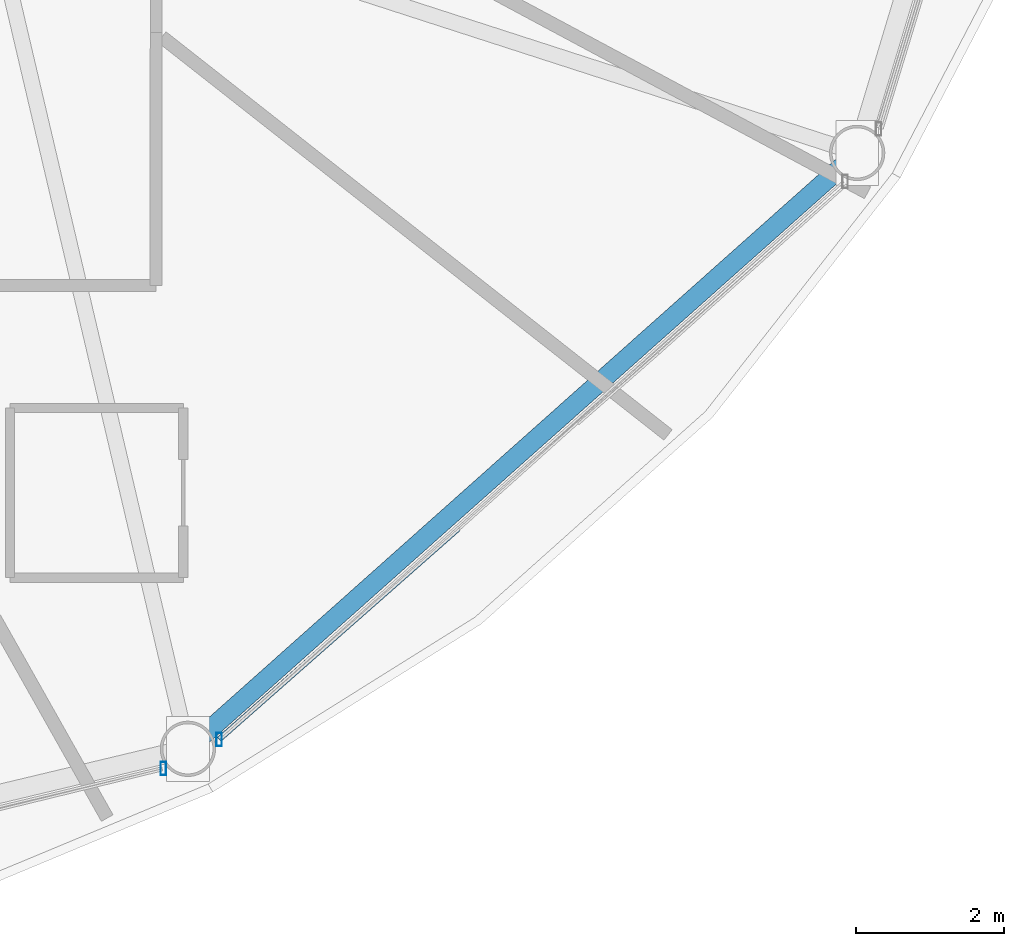
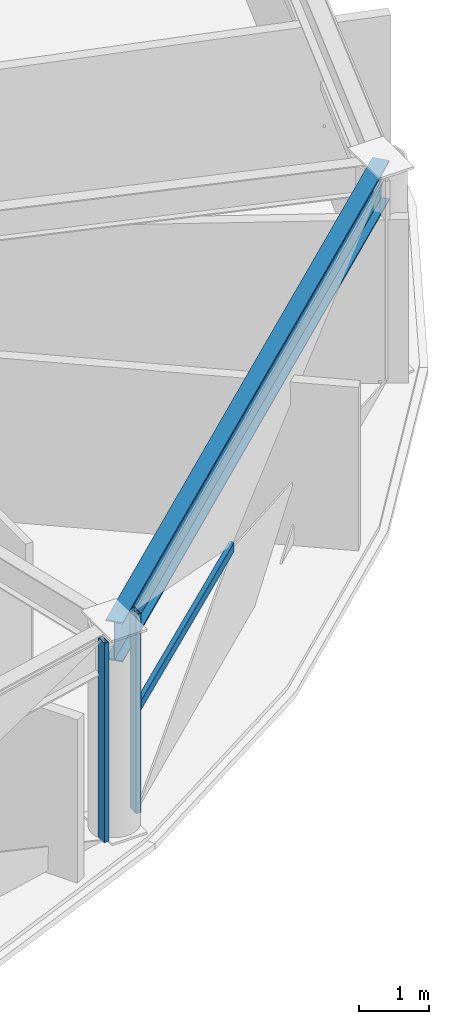
# One storey, part 9 of 30: 3 members, 1 beam, 2 elements without a shape of their own.
"""IFC4 building model written with IfcOpenShell, lengths in metres."""

from ifc_helpers import new_model, si_unit, direction, frame, origin, origin_2d, place, context, subcontext, project, spatial, hollow_rectangle, i_section, extrude, material, layer, layer_set, material_profile, profile_set, type_object, element, aggregate, save


model = new_model("IFC4")

# Units and contexts
model_context = context("Model", 3, precision=1e-05, world=origin(), true_north=direction((0.0, 1.0)))
body_context = subcontext(model_context, "Body", "Model", "MODEL_VIEW")
ifc_project = project(units=[si_unit("LENGTHUNIT", "METRE"), si_unit("AREAUNIT", "SQUARE_METRE"), si_unit("VOLUMEUNIT", "CUBIC_METRE"), si_unit("PLANEANGLEUNIT", "RADIAN"), si_unit("MASSUNIT", "GRAM", prefix="KILO")], contexts=[model_context])

# Site, building, storey
site_placement = place(None, origin())
site = spatial("IfcSite", under=ifc_project, at=site_placement, CompositionType="ELEMENT")
building_placement = place(site_placement, origin())
building = spatial("IfcBuilding", under=site, at=building_placement, Name="Vantalir Tower", CompositionType="ELEMENT")
storey_placement = place(building_placement, frame((0.0, 0.0, 153.449951171875)))
storey = spatial("IfcBuildingStorey", under=building, at=storey_placement, Name="L38", CompositionType="ELEMENT", Elevation=153.449951171875)

# Beam
ifc_material_1 = material(Name="Steel S460", Category="steel")
ifc_material_profile_1 = material_profile(ifc_material_1, i_section(OverallWidth=0.256103515625, OverallDepth=0.693115234375, WebThickness=0.014404296875, FlangeThickness=0.023681640625, at=origin_2d()), Name="Steel S460")
ifc_profile_set_1 = profile_set([ifc_material_profile_1], Name="Steel S460")
beam_type = type_object("IfcBeamType", Name="BM-RG-686x254", PredefinedType="USERDEFINED", material=ifc_profile_set_1)
beam_placement = place(storey_placement, frame((43.89208984375, 5.887939453125, 3.22412109375), z_axis=(0.746827909531, 0.665017348305, 0.0), x_axis=(-0.665017348305, 0.746827909531, 0.0)))
element("IfcBeam", 1, at=beam_placement, inside=storey, type_object=beam_type, Name="L38 Circumferential Ring Girder 11", ObjectType="GIRDER", PredefinedType="USERDEFINED", context=body_context, shape_type="SweptSolid", body=[
    extrude(i_section(OverallWidth=0.256103515625, OverallDepth=0.693115234375, WebThickness=0.014404296875, FlangeThickness=0.023681640625, at=origin_2d()), origin(), (0.0, 0.0, 1.0), 12.145751953125),
])

# Curtain wall, member
ifc_material_2 = material(Name="Champagne-silver PVDF aluminium and double-silver Low-E glass", Category="aluminium")
ifc_layer = layer(ifc_material_2, 0.199951171875)
ifc_layer_set = layer_set([ifc_layer], Name="Champagne-silver PVDF aluminium and double-silver Low-E glass")
curtain_wall_type = type_object("IfcCurtainWallType", Name="CW-DIAMOND-Z2", PredefinedType="USERDEFINED", material=ifc_layer_set)
curtain_wall_1_placement = place(storey_placement, origin())
curtain_wall_1 = element("IfcCurtainWall", 2, at=curtain_wall_1_placement, inside=storey, type_object=curtain_wall_type, Name="L38 Quilted Pyramid-Diamond Curtain Wall S10", ObjectType="UNITISED CURTAIN WALL", PredefinedType="USERDEFINED")
ifc_material_3 = material(Name="Champagne-silver PVDF aluminium 6063-T6", Category="aluminium")
ifc_material_profile_2 = material_profile(ifc_material_3, hollow_rectangle(XDim=0.074951171875, YDim=0.179931640625, WallThickness=0.00390625, at=origin_2d()), Name="Champagne-silver PVDF aluminium 6063-T6")
ifc_profile_set_2 = profile_set([ifc_material_profile_2], Name="Champagne-silver PVDF aluminium 6063-T6")
member_type_1 = type_object("IfcMemberType", Name="CWM-180x75", PredefinedType="MULLION", material=ifc_profile_set_2)
member_1_placement = place(storey_placement, frame((43.55908203125, 5.62109375, 0.045166015625), z_axis=(0.0, 0.0, 1.0), x_axis=(1.0, 0.0, 0.0)))
member_1 = element("IfcMember", 3, at=member_1_placement, type_object=member_type_1, Name="CW-L38-S10 Mullion 2", PredefinedType="MULLION", context=body_context, shape_type="SweptSolid", body=[
    extrude(hollow_rectangle(XDim=0.074951171875, YDim=0.179931640625, WallThickness=0.00390625, at=origin_2d()), origin(), (0.0, 0.0, 1.0), 3.47998046875),
])
aggregate(curtain_wall_1, [member_1])

# Curtain wall, members
curtain_wall_2_placement = place(storey_placement, origin())
curtain_wall_2 = element("IfcCurtainWall", 4, at=curtain_wall_2_placement, inside=storey, type_object=curtain_wall_type, Name="L38 Quilted Pyramid-Diamond Curtain Wall S11", ObjectType="UNITISED CURTAIN WALL", PredefinedType="USERDEFINED")
member_2_placement = place(storey_placement, frame((44.31494140625, 6.01611328125, 0.045166015625), z_axis=(0.0, 0.0, 1.0), x_axis=(1.0, 0.0, 0.0)))
member_2 = element("IfcMember", 5, at=member_2_placement, type_object=member_type_1, Name="CW-L38-S11 Mullion 1", PredefinedType="MULLION", context=body_context, shape_type="SweptSolid", body=[
    extrude(hollow_rectangle(XDim=0.074951171875, YDim=0.179931640625, WallThickness=0.00390625, at=origin_2d()), origin(), (0.0, 0.0, 1.0), 3.47998046875),
])
ifc_material_profile_3 = material_profile(ifc_material_3, hollow_rectangle(XDim=0.074951171875, YDim=0.159912109375, WallThickness=0.00390625, at=origin_2d()), Name="Champagne-silver PVDF aluminium 6063-T6")
ifc_profile_set_3 = profile_set([ifc_material_profile_3], Name="Champagne-silver PVDF aluminium 6063-T6")
member_type_2 = type_object("IfcMemberType", Name="CWT-160x75", PredefinedType="USERDEFINED", material=ifc_profile_set_3)
member_3_placement = place(storey_placement, frame((44.31494140625, 6.01611328125, 1.78515625), z_axis=(0.7502648762, 0.661137365107, 0.0), x_axis=(-0.661137365107, 0.7502648762, 0.0)))
member_3 = element("IfcMember", 6, at=member_3_placement, type_object=member_type_2, Name="CW-L38-S11 Pyramid Fold Ridge Transom", ObjectType="TRANSOM", PredefinedType="USERDEFINED", context=body_context, shape_type="SweptSolid", body=[
    extrude(hollow_rectangle(XDim=0.074951171875, YDim=0.159912109375, WallThickness=0.00390625, at=origin_2d()), origin(), (0.0, 0.0, 1.0), 4.31982421875),
])
aggregate(curtain_wall_2, [member_2, member_3])

save(model, "model.ifc")
